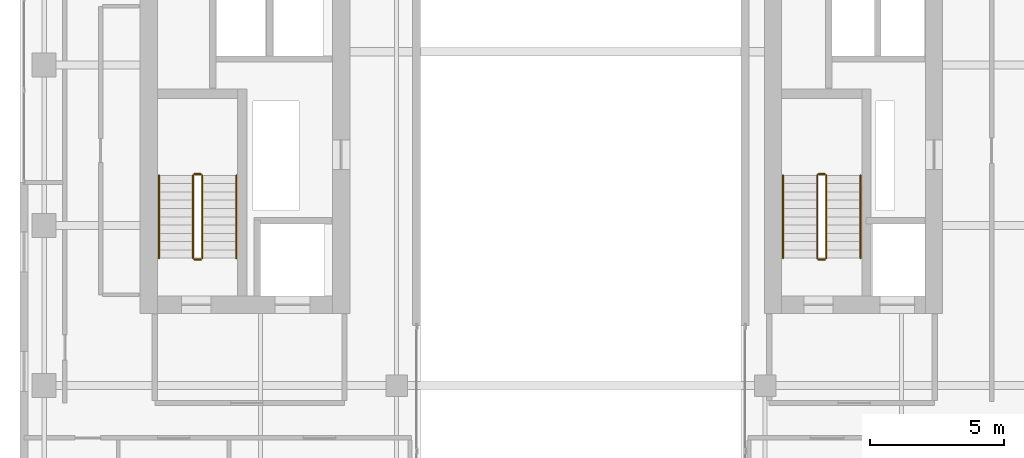
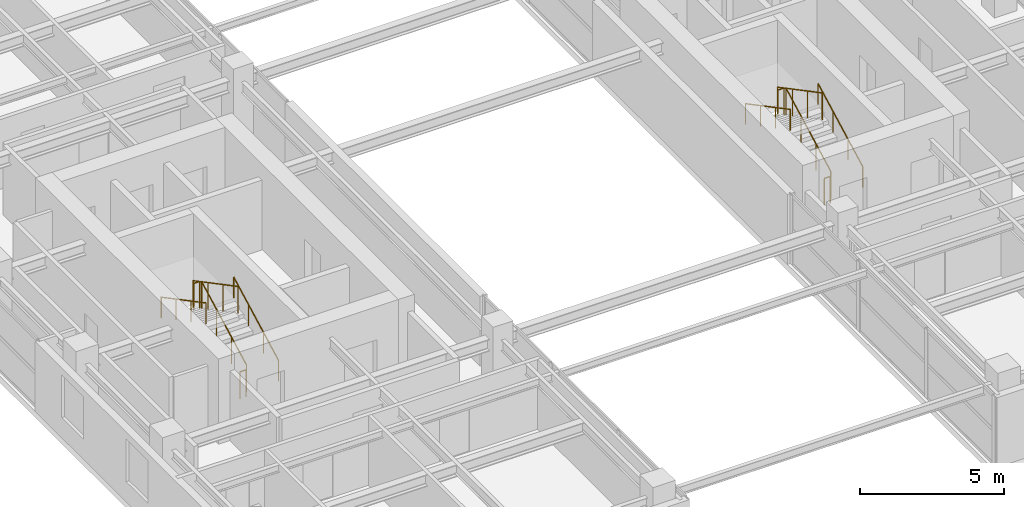
# One storey, part 21 of 21: 12 railings.
"""IFC4 building model written with IfcOpenShell, lengths in metres."""

import ifcopenshell
import ifcopenshell.guid

model = None  # the IFC model being written
_history = None  # IfcOwnerHistory: only IFC2X3 demands one
_inside = {}  # id of a spatial element -> (the spatial element, [elements in it])
_under = {}  # id of a project, library or spatial element -> (it, [spatial elements below it])
_declared = {}  # id of a project -> (the project, [libraries it declares])
_typed = {}  # id of a type object -> (the type object, [elements of that type])
_made_of = {}  # id of a material, layer set ... -> (it, [elements and type objects made of it])


def new_model(schema):
    """Start an empty IFC model of exactly this schema.

    Asked for "IFC4X3", IfcOpenShell would pick the latest addendum, in which some entities
    have other attributes; the version numbers below select the first issue.
    IFC2X3 requires an IfcOwnerHistory on every rooted entity: one is made here for all.
    """
    global model, _history
    if schema == "IFC4X3":
        model = ifcopenshell.file(schema_version=(4, 3, 0, 0))
    else:
        model = ifcopenshell.file(schema=schema)
    _inside.clear()
    _under.clear()
    _declared.clear()
    _typed.clear()
    _made_of.clear()
    _history = None
    if model.schema == "IFC2X3":
        org = make("IfcOrganization", Name="unknown")
        user = make(
            "IfcPersonAndOrganization",
            ThePerson=make("IfcPerson", FamilyName="unknown"),
            TheOrganization=org,
        )
        app = make(
            "IfcApplication",
            ApplicationDeveloper=org,
            Version="unknown",
            ApplicationFullName="unknown",
            ApplicationIdentifier="unknown",
        )
        _history = make(
            "IfcOwnerHistory",
            OwningUser=user,
            OwningApplication=app,
            ChangeAction="ADDED",
            CreationDate=0,
        )
    return model


def make(cls, **values):
    """One entity of the class cls with the attributes given. An attribute that is None is left unset."""
    return model.create_entity(
        cls, **{name: value for name, value in values.items() if value is not None}
    )


def rooted(cls, **values):
    """An entity with a GlobalId (a new one), such as an element, a storey or a relation."""
    return make(cls, GlobalId=ifcopenshell.guid.new(), OwnerHistory=_history, **values)


def si_unit(unit_type, name, prefix=None):
    """IfcSIUnit, for example si_unit("LENGTHUNIT", "METRE", prefix="MILLI")."""
    return make("IfcSIUnit", UnitType=unit_type, Prefix=prefix, Name=name)


def assignment(units):
    """IfcUnitAssignment: the units of a project."""
    return None if units is None else make("IfcUnitAssignment", Units=units)


def point(xyz):
    """IfcCartesianPoint."""
    return None if xyz is None else make("IfcCartesianPoint", Coordinates=xyz)


def direction(xyz):
    """IfcDirection."""
    return None if xyz is None else make("IfcDirection", DirectionRatios=xyz)


def frame(location, z_axis=None, x_axis=None):
    """IfcAxis2Placement3D, a coordinate frame: its origin and axes. An axis left out is left unset."""
    return make(
        "IfcAxis2Placement3D",
        Location=point(location),
        Axis=direction(z_axis),
        RefDirection=direction(x_axis),
    )


def frame_2d(location, x_axis=None):
    """IfcAxis2Placement2D, a coordinate frame in the plane: its origin and x axis."""
    return make(
        "IfcAxis2Placement2D", Location=point(location), RefDirection=direction(x_axis)
    )


def origin():
    """The frame at (0, 0, 0) with its axes left unset."""
    return frame((0.0, 0.0, 0.0))


def origin_2d():
    """The frame at (0, 0) in the plane with its x axis left unset."""
    return frame_2d((0.0, 0.0))


def place(relative_to, where):
    """IfcLocalPlacement: puts the frame where relative to a parent placement (None: the world)."""
    return make(
        "IfcLocalPlacement", PlacementRelTo=relative_to, RelativePlacement=where
    )


def context(
    kind, dimensions, precision=None, world=None, true_north=None, identifier=None
):
    """IfcGeometricRepresentationContext, for example the 3D "Model" context."""
    return make(
        "IfcGeometricRepresentationContext",
        ContextIdentifier=identifier,
        ContextType=kind,
        CoordinateSpaceDimension=dimensions,
        Precision=precision,
        WorldCoordinateSystem=world,
        TrueNorth=true_north,
    )


def subcontext(parent, identifier, kind, view, scale=None):
    """IfcGeometricRepresentationSubContext, for example "Body" below "Model"."""
    return make(
        "IfcGeometricRepresentationSubContext",
        ContextIdentifier=identifier,
        ContextType=kind,
        ParentContext=parent,
        TargetScale=scale,
        TargetView=view,
    )


def project(units=None, contexts=None):
    """IfcProject with its units and contexts."""
    return rooted(
        "IfcProject",
        Name="project",
        RepresentationContexts=contexts,
        UnitsInContext=assignment(units),
    )


def spatial(cls, under=None, at=None, **own):
    """A site, building, storey or space (cls), placed at a placement, below another one or the project."""
    s = rooted(cls, ObjectPlacement=at, **own)
    if under is not None:
        _under.setdefault(under.id(), (under, []))[1].append(s)
    return s


def profile(cls, at=None, kind="AREA", **sizes):
    """A parametric profile (cls). Its sizes go by their IFC names, for example OverallWidth=200.0."""
    return make(cls, ProfileType=kind, Position=at, **sizes)


def circle(**sizes):
    """IfcCircleProfileDef."""
    return profile("IfcCircleProfileDef", **sizes)


def extrude(swept, where, along, depth):
    """IfcExtrudedAreaSolid: the profile swept, set in the frame where, extruded along a direction by depth."""
    return make(
        "IfcExtrudedAreaSolid",
        SweptArea=swept,
        Position=where,
        ExtrudedDirection=direction(along),
        Depth=depth,
    )


def shape(context_of_items, identifier, shape_type, items):
    """IfcShapeRepresentation: the items that make up one representation, for example the "Body"."""
    return make(
        "IfcShapeRepresentation",
        ContextOfItems=context_of_items,
        RepresentationIdentifier=identifier,
        RepresentationType=shape_type,
        Items=items,
    )


def material(Name=None, Category=None):
    """IfcMaterial."""
    return make("IfcMaterial", Name=Name, Category=Category)


def made_of(thing, what):
    """Note that an element or type object is made of a material, layer set ...; save() writes the relation."""
    if what is not None:
        _made_of.setdefault(what.id(), (what, []))[1].append(thing)
    return thing


def type_object(cls, material=None, **own):
    """A type object (cls), such as IfcWallType, which elements share."""
    return made_of(rooted(cls, **own), material)


def element(
    cls,
    number,
    at=None,
    inside=None,
    cuts=None,
    type_object=None,
    material=None,
    context=None,
    identifier="Body",
    shape_type=None,
    held_by="IfcProductDefinitionShape",
    body=None,
    shapes=None,
    **own,
):
    """One element of the class cls, such as IfcWall. Its Tag is "e" and its number.

    at: its placement. inside: the storey or other place that contains it. cuts: it is an
    opening in that element (IfcRelVoidsElement). A single representation is given by context,
    identifier, shape_type and body (its items); several are given by shapes. held_by: the class
    of the entity that holds the representations. save() writes the other relations.
    """
    e = rooted(cls, Tag="e%d" % number, ObjectPlacement=at, **own)
    if body is not None:
        shapes = [shape(context, identifier, shape_type, body)]
    if shapes is not None:
        e.Representation = make(held_by, Representations=shapes)
    if inside is not None:
        _inside.setdefault(inside.id(), (inside, []))[1].append(e)
    if cuts is not None:
        rooted(
            "IfcRelVoidsElement", RelatingBuildingElement=cuts, RelatedOpeningElement=e
        )
    if type_object is not None:
        _typed.setdefault(type_object.id(), (type_object, []))[1].append(e)
    return made_of(e, material)


def aggregate(whole, parts):
    """IfcRelAggregates: a whole, such as a stair, and the parts it consists of."""
    return rooted("IfcRelAggregates", RelatingObject=whole, RelatedObjects=parts)


def save(model, path):
    """Write the relations noted so far, then the file.

    IfcRelAggregates (storeys below a building ...), IfcRelContainedInSpatialStructure (elements
    in a storey), IfcRelDefinesByType, IfcRelAssociatesMaterial and IfcRelDeclares: one each for
    every whole, place, type object, material and project.
    """
    for whole, parts in _under.values():
        aggregate(whole, parts)
    for where, things in _inside.values():
        rooted(
            "IfcRelContainedInSpatialStructure",
            RelatedElements=things,
            RelatingStructure=where,
        )
    for kind, things in _typed.values():
        rooted("IfcRelDefinesByType", RelatedObjects=things, RelatingType=kind)
    for what, things in _made_of.values():
        rooted("IfcRelAssociatesMaterial", RelatedObjects=things, RelatingMaterial=what)
    for by, libraries in _declared.values():
        rooted("IfcRelDeclares", RelatingContext=by, RelatedDefinitions=libraries)
    model.write(path)


model = new_model("IFC4")

# Units and contexts
model_context = context("Model", 3, precision=1e-05, world=origin(), true_north=direction((0.0, 1.0)))
body_context = subcontext(model_context, "Body", "Model", "MODEL_VIEW")
ifc_project = project(units=[si_unit("LENGTHUNIT", "METRE"), si_unit("AREAUNIT", "SQUARE_METRE"), si_unit("VOLUMEUNIT", "CUBIC_METRE"), si_unit("PLANEANGLEUNIT", "RADIAN"), si_unit("MASSUNIT", "GRAM", prefix="KILO")], contexts=[model_context])

# Site, building, storey
site_placement = place(None, origin())
site = spatial("IfcSite", under=ifc_project, at=site_placement, CompositionType="ELEMENT")
building_placement = place(site_placement, origin())
building = spatial("IfcBuilding", under=site, at=building_placement, Name="Khoralis Quay Care Tower", CompositionType="ELEMENT")
storey_placement = place(building_placement, frame((0.0, 0.0, 213.300048828125)))
storey = spatial("IfcBuildingStorey", under=building, at=storey_placement, Name="L56", CompositionType="ELEMENT", Elevation=213.300048828125)

# Railings
ifc_material = material(Name="Brushed stainless steel", Category="steel")
railing_type_1 = type_object("IfcRailingType", Name="RL-GUARD-1150", PredefinedType="GUARDRAIL", material=ifc_material)
railing_1_placement = place(storey_placement, frame((9.820068359375, 16.77001953125, 0.16357421875)))
element("IfcRailing", 1, at=railing_1_placement, inside=storey, type_object=railing_type_1, Name="L56 ST-T1 stair guard 1", PredefinedType="GUARDRAIL", context=body_context, shape_type="SweptSolid", body=[
    extrude(circle(Radius=0.02392578125, at=origin_2d()), frame((0.0, 0.0, 1.1259765625), z_axis=(0.0, 0.884348015382, 0.466828220752), x_axis=(-1.0, 0.0, 0.0)), (0.0, 0.0, 1.0), 3.505615234375),
    extrude(circle(Radius=0.02099609375, at=origin_2d()), origin(), (0.0, 0.0, 1.0), 1.101806640625),
    extrude(circle(Radius=0.02099609375, at=origin_2d()), frame((0.0, 1.033447265625, 0.54541015625)), (0.0, 0.0, 1.0), 1.101806640625),
    extrude(circle(Radius=0.02099609375, at=origin_2d()), frame((0.0, 2.066650390625, 1.091064453125)), (0.0, 0.0, 1.0), 1.101806640625),
    extrude(circle(Radius=0.02099609375, at=origin_2d()), frame((0.0, 3.10009765625, 1.636474609375)), (0.0, 0.0, 1.0), 1.101806640625),
])
railing_2_placement = place(storey_placement, frame((9.77001953125, 19.919921875, 1.800048828125)))
element("IfcRailing", 2, at=railing_2_placement, inside=storey, type_object=railing_type_1, Name="L56 ST-T1 stair guard 2", PredefinedType="GUARDRAIL", context=body_context, shape_type="SweptSolid", body=[
    extrude(circle(Radius=0.02392578125, at=origin_2d()), frame((0.0, 0.0, 1.1259765625), z_axis=(-1.0, 0.0, 0.0), x_axis=(0.0, -1.0, 0.0)), (0.0, 0.0, 1.0), 0.239990234375),
    extrude(circle(Radius=0.02099609375, at=origin_2d()), origin(), (0.0, 0.0, 1.0), 1.101806640625),
    extrude(circle(Radius=0.02099609375, at=origin_2d()), frame((-0.239990234375, 0.0, 0.0)), (0.0, 0.0, 1.0), 1.101806640625),
])
railing_3_placement = place(storey_placement, frame((9.47998046875, 19.8701171875, 1.963623046875)))
element("IfcRailing", 3, at=railing_3_placement, inside=storey, type_object=railing_type_1, Name="L56 ST-T1 stair guard 3", PredefinedType="GUARDRAIL", context=body_context, shape_type="SweptSolid", body=[
    extrude(circle(Radius=0.02392578125, at=origin_2d()), frame((0.0, 0.0, 1.1259765625), z_axis=(0.0, -0.884376766648, 0.46677375099), x_axis=(1.0, 0.0, 0.0)), (0.0, 0.0, 1.0), 3.50537109375),
    extrude(circle(Radius=0.02099609375, at=origin_2d()), origin(), (0.0, 0.0, 1.0), 1.101806640625),
    extrude(circle(Radius=0.02099609375, at=origin_2d()), frame((0.0, -1.033447265625, 0.54541015625)), (0.0, 0.0, 1.0), 1.101806640625),
    extrude(circle(Radius=0.02099609375, at=origin_2d()), frame((0.0, -2.066650390625, 1.0908203125)), (0.0, 0.0, 1.0), 1.101806640625),
    extrude(circle(Radius=0.02099609375, at=origin_2d()), frame((0.0, -3.10009765625, 1.63623046875)), (0.0, 0.0, 1.0), 1.101806640625),
])
railing_4_placement = place(storey_placement, frame((9.77001953125, 16.719970703125, 0.0)))
element("IfcRailing", 4, at=railing_4_placement, inside=storey, type_object=railing_type_1, Name="L56 ST-T1 stair guard 4", PredefinedType="GUARDRAIL", context=body_context, shape_type="SweptSolid", body=[
    extrude(circle(Radius=0.02392578125, at=origin_2d()), frame((0.0, 0.0, 1.1259765625), z_axis=(-1.0, 0.0, 0.0), x_axis=(0.0, -1.0, 0.0)), (0.0, 0.0, 1.0), 0.239990234375),
    extrude(circle(Radius=0.02099609375, at=origin_2d()), origin(), (0.0, 0.0, 1.0), 1.101806640625),
    extrude(circle(Radius=0.02099609375, at=origin_2d()), frame((-0.239990234375, 0.0, 0.0)), (0.0, 0.0, 1.0), 1.101806640625),
])
railing_5_placement = place(storey_placement, frame((33.18994140625, 16.77001953125, 0.16357421875)))
element("IfcRailing", 5, at=railing_5_placement, inside=storey, type_object=railing_type_1, Name="L56 ST-T2 stair guard 1", PredefinedType="GUARDRAIL", context=body_context, shape_type="SweptSolid", body=[
    extrude(circle(Radius=0.02392578125, at=origin_2d()), frame((0.0, 0.0, 1.1259765625), z_axis=(0.0, 0.884348015382, 0.466828220752), x_axis=(-1.0, 0.0, 0.0)), (0.0, 0.0, 1.0), 3.505615234375),
    extrude(circle(Radius=0.02099609375, at=origin_2d()), origin(), (0.0, 0.0, 1.0), 1.101806640625),
    extrude(circle(Radius=0.02099609375, at=origin_2d()), frame((0.0, 1.033447265625, 0.54541015625)), (0.0, 0.0, 1.0), 1.101806640625),
    extrude(circle(Radius=0.02099609375, at=origin_2d()), frame((0.0, 2.066650390625, 1.091064453125)), (0.0, 0.0, 1.0), 1.101806640625),
    extrude(circle(Radius=0.02099609375, at=origin_2d()), frame((0.0, 3.10009765625, 1.636474609375)), (0.0, 0.0, 1.0), 1.101806640625),
])
railing_6_placement = place(storey_placement, frame((33.139892578125, 19.919921875, 1.800048828125)))
element("IfcRailing", 6, at=railing_6_placement, inside=storey, type_object=railing_type_1, Name="L56 ST-T2 stair guard 2", PredefinedType="GUARDRAIL", context=body_context, shape_type="SweptSolid", body=[
    extrude(circle(Radius=0.02392578125, at=origin_2d()), frame((0.0, 0.0, 1.1259765625), z_axis=(-1.0, 0.0, 0.0), x_axis=(0.0, -1.0, 0.0)), (0.0, 0.0, 1.0), 0.239990234375),
    extrude(circle(Radius=0.02099609375, at=origin_2d()), origin(), (0.0, 0.0, 1.0), 1.101806640625),
    extrude(circle(Radius=0.02099609375, at=origin_2d()), frame((-0.239990234375, 0.0, 0.0)), (0.0, 0.0, 1.0), 1.101806640625),
])
railing_7_placement = place(storey_placement, frame((32.85009765625, 19.8701171875, 1.963623046875)))
element("IfcRailing", 7, at=railing_7_placement, inside=storey, type_object=railing_type_1, Name="L56 ST-T2 stair guard 3", PredefinedType="GUARDRAIL", context=body_context, shape_type="SweptSolid", body=[
    extrude(circle(Radius=0.02392578125, at=origin_2d()), frame((0.0, 0.0, 1.1259765625), z_axis=(0.0, -0.884376766648, 0.46677375099), x_axis=(1.0, 0.0, 0.0)), (0.0, 0.0, 1.0), 3.50537109375),
    extrude(circle(Radius=0.02099609375, at=origin_2d()), origin(), (0.0, 0.0, 1.0), 1.101806640625),
    extrude(circle(Radius=0.02099609375, at=origin_2d()), frame((0.0, -1.033447265625, 0.54541015625)), (0.0, 0.0, 1.0), 1.101806640625),
    extrude(circle(Radius=0.02099609375, at=origin_2d()), frame((0.0, -2.066650390625, 1.0908203125)), (0.0, 0.0, 1.0), 1.101806640625),
    extrude(circle(Radius=0.02099609375, at=origin_2d()), frame((0.0, -3.10009765625, 1.63623046875)), (0.0, 0.0, 1.0), 1.101806640625),
])
railing_8_placement = place(storey_placement, frame((33.139892578125, 16.719970703125, 0.0)))
element("IfcRailing", 8, at=railing_8_placement, inside=storey, type_object=railing_type_1, Name="L56 ST-T2 stair guard 4", PredefinedType="GUARDRAIL", context=body_context, shape_type="SweptSolid", body=[
    extrude(circle(Radius=0.02392578125, at=origin_2d()), frame((0.0, 0.0, 1.1259765625), z_axis=(-1.0, 0.0, 0.0), x_axis=(0.0, -1.0, 0.0)), (0.0, 0.0, 1.0), 0.239990234375),
    extrude(circle(Radius=0.02099609375, at=origin_2d()), origin(), (0.0, 0.0, 1.0), 1.101806640625),
    extrude(circle(Radius=0.02099609375, at=origin_2d()), frame((-0.239990234375, 0.0, 0.0)), (0.0, 0.0, 1.0), 1.101806640625),
])
railing_type_2 = type_object("IfcRailingType", Name="RL-HAND-900", PredefinedType="HANDRAIL", material=ifc_material)
railing_9_placement = place(storey_placement, frame((11.10009765625, 16.77001953125, 0.16357421875)))
element("IfcRailing", 9, at=railing_9_placement, inside=storey, type_object=railing_type_2, Name="L56 ST-T1 stair handrail 1", PredefinedType="HANDRAIL", context=body_context, shape_type="SweptSolid", body=[
    extrude(circle(Radius=0.02392578125, at=origin_2d()), frame((0.0, 0.0, 0.8759765625), z_axis=(0.0, 0.884348015382, 0.466828220752), x_axis=(-1.0, 0.0, 0.0)), (0.0, 0.0, 1.0), 3.505615234375),
    extrude(circle(Radius=0.02099609375, at=origin_2d()), origin(), (0.0, 0.0, 1.0), 0.851806640625),
    extrude(circle(Radius=0.02099609375, at=origin_2d()), frame((0.0, 1.033447265625, 0.54541015625)), (0.0, 0.0, 1.0), 0.851806640625),
    extrude(circle(Radius=0.02099609375, at=origin_2d()), frame((0.0, 2.066650390625, 1.091064453125)), (0.0, 0.0, 1.0), 0.851806640625),
    extrude(circle(Radius=0.02099609375, at=origin_2d()), frame((0.0, 3.10009765625, 1.636474609375)), (0.0, 0.0, 1.0), 0.851806640625),
])
railing_10_placement = place(storey_placement, frame((8.199951171875, 19.8701171875, 1.963623046875)))
element("IfcRailing", 10, at=railing_10_placement, inside=storey, type_object=railing_type_2, Name="L56 ST-T1 stair handrail 2", PredefinedType="HANDRAIL", context=body_context, shape_type="SweptSolid", body=[
    extrude(circle(Radius=0.02392578125, at=origin_2d()), frame((0.0, 0.0, 0.8759765625), z_axis=(0.0, -0.884376766648, 0.46677375099), x_axis=(1.0, 0.0, 0.0)), (0.0, 0.0, 1.0), 3.50537109375),
    extrude(circle(Radius=0.02099609375, at=origin_2d()), origin(), (0.0, 0.0, 1.0), 0.851806640625),
    extrude(circle(Radius=0.02099609375, at=origin_2d()), frame((0.0, -1.033447265625, 0.54541015625)), (0.0, 0.0, 1.0), 0.851806640625),
    extrude(circle(Radius=0.02099609375, at=origin_2d()), frame((0.0, -2.066650390625, 1.0908203125)), (0.0, 0.0, 1.0), 0.851806640625),
    extrude(circle(Radius=0.02099609375, at=origin_2d()), frame((0.0, -3.10009765625, 1.63623046875)), (0.0, 0.0, 1.0), 0.851806640625),
])
railing_11_placement = place(storey_placement, frame((34.469970703125, 16.77001953125, 0.16357421875)))
element("IfcRailing", 11, at=railing_11_placement, inside=storey, type_object=railing_type_2, Name="L56 ST-T2 stair handrail 1", PredefinedType="HANDRAIL", context=body_context, shape_type="SweptSolid", body=[
    extrude(circle(Radius=0.02392578125, at=origin_2d()), frame((0.0, 0.0, 0.8759765625), z_axis=(0.0, 0.884348015382, 0.466828220752), x_axis=(-1.0, 0.0, 0.0)), (0.0, 0.0, 1.0), 3.505615234375),
    extrude(circle(Radius=0.02099609375, at=origin_2d()), origin(), (0.0, 0.0, 1.0), 0.851806640625),
    extrude(circle(Radius=0.02099609375, at=origin_2d()), frame((0.0, 1.033447265625, 0.54541015625)), (0.0, 0.0, 1.0), 0.851806640625),
    extrude(circle(Radius=0.02099609375, at=origin_2d()), frame((0.0, 2.066650390625, 1.091064453125)), (0.0, 0.0, 1.0), 0.851806640625),
    extrude(circle(Radius=0.02099609375, at=origin_2d()), frame((0.0, 3.10009765625, 1.636474609375)), (0.0, 0.0, 1.0), 0.851806640625),
])
railing_12_placement = place(storey_placement, frame((31.570068359375, 19.8701171875, 1.963623046875)))
element("IfcRailing", 12, at=railing_12_placement, inside=storey, type_object=railing_type_2, Name="L56 ST-T2 stair handrail 2", PredefinedType="HANDRAIL", context=body_context, shape_type="SweptSolid", body=[
    extrude(circle(Radius=0.02392578125, at=origin_2d()), frame((0.0, 0.0, 0.8759765625), z_axis=(0.0, -0.884376766648, 0.46677375099), x_axis=(1.0, 0.0, 0.0)), (0.0, 0.0, 1.0), 3.50537109375),
    extrude(circle(Radius=0.02099609375, at=origin_2d()), origin(), (0.0, 0.0, 1.0), 0.851806640625),
    extrude(circle(Radius=0.02099609375, at=origin_2d()), frame((0.0, -1.033447265625, 0.54541015625)), (0.0, 0.0, 1.0), 0.851806640625),
    extrude(circle(Radius=0.02099609375, at=origin_2d()), frame((0.0, -2.066650390625, 1.0908203125)), (0.0, 0.0, 1.0), 0.851806640625),
    extrude(circle(Radius=0.02099609375, at=origin_2d()), frame((0.0, -3.10009765625, 1.63623046875)), (0.0, 0.0, 1.0), 0.851806640625),
])

save(model, "model.ifc")
